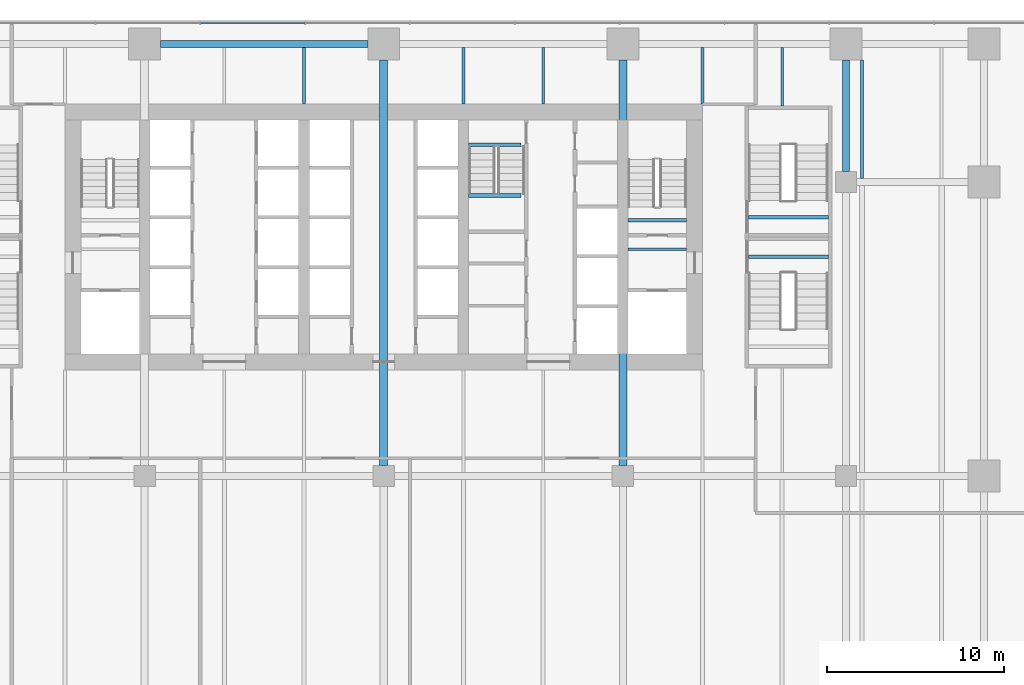
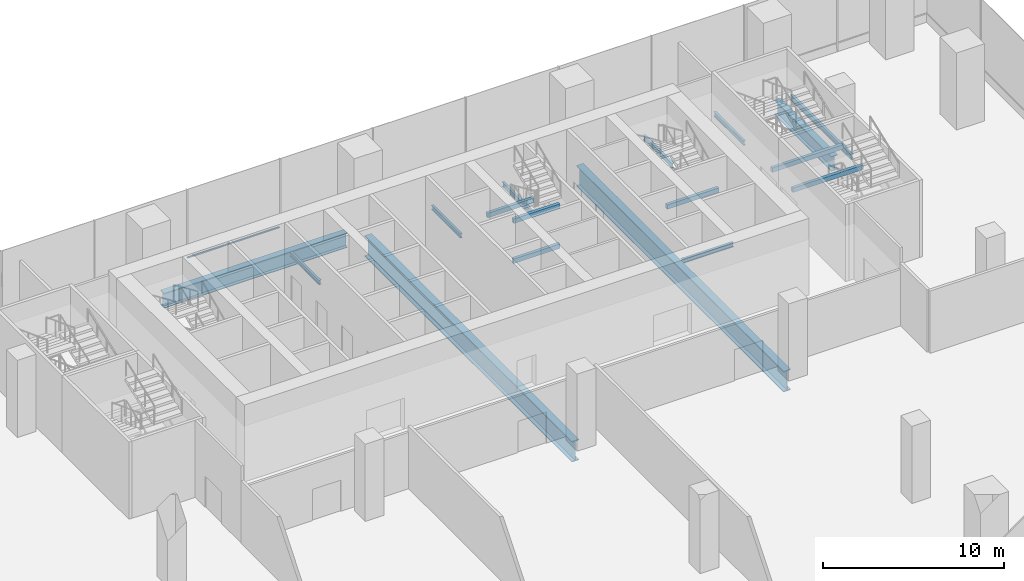
# One storey, part 12 of 26: 17 beams, 1 member, 1 element without a shape of its own.
"""IFC4 building model written with IfcOpenShell, lengths in metres."""

from ifc_helpers import new_model, si_unit, direction, frame, origin, origin_2d, place, context, subcontext, project, spatial, rectangle, i_section, extrude, material, layer, layer_set, material_profile, profile_set, type_object, element, aggregate, save


model = new_model("IFC4")

# Units and contexts
model_context = context("Model", 3, precision=1e-05, world=origin(), true_north=direction((0.0, 1.0)))
body_context = subcontext(model_context, "Body", "Model", "MODEL_VIEW")
ifc_project = project(units=[si_unit("LENGTHUNIT", "METRE"), si_unit("AREAUNIT", "SQUARE_METRE"), si_unit("VOLUMEUNIT", "CUBIC_METRE"), si_unit("PLANEANGLEUNIT", "RADIAN"), si_unit("MASSUNIT", "GRAM", prefix="KILO")], contexts=[model_context])

# Site, building, storey
site_placement = place(None, origin())
site = spatial("IfcSite", under=ifc_project, at=site_placement, CompositionType="ELEMENT")
building_placement = place(site_placement, origin())
building = spatial("IfcBuilding", under=site, at=building_placement, Name="Rattan Terrace Tower", CompositionType="ELEMENT")
storey_placement = place(building_placement, frame((0.0, 0.0, 7.199951171875)))
storey = spatial("IfcBuildingStorey", under=building, at=storey_placement, Name="L01", CompositionType="ELEMENT", Elevation=7.199951171875)

# Beams
ifc_material_1 = material(Name="Concrete C40/50", Category="concrete")
ifc_material_profile_1 = material_profile(ifc_material_1, rectangle(XDim=0.199951171875, YDim=0.300048828125, at=origin_2d()), Name="RC 200x300")
ifc_profile_set_1 = profile_set([ifc_material_profile_1], Name="Concrete C40/50")
beam_type_1 = type_object("IfcBeamType", Name="Core landing beam RC 200x300", PredefinedType="BEAM", material=ifc_profile_set_1)
beam_1_placement = place(storey_placement, frame((13.800048828125, 0.949951171875, 2.35009765625), z_axis=(1.0, 0.0, 0.0), x_axis=(0.0, 1.0, 0.0)))
element("IfcBeam", 1, at=beam_1_placement, inside=storey, type_object=beam_type_1, Name="st-S2-L01 landing 2 edge beam", PredefinedType="BEAM", context=body_context, shape_type="SweptSolid", body=[
    extrude(rectangle(XDim=0.199951171875, YDim=0.300048828125, at=origin_2d()), origin(), (0.0, 0.0, 1.0), 3.300048828125),
])
for number, where, z_axis, x_axis, name in (
    (2, (4.800048828125, 2.340087890625, 1.0), (1.0, 0.0, 0.0), (0.0, 1.0, 0.0), "st-S3-L01 landing 1 edge beam"),
    (3, (4.800048828125, 5.199951171875, 2.35009765625), (1.0, 0.0, 0.0), (0.0, 1.0, 0.0), "st-S3-L01 landing 2 edge beam"),
    (4, (4.800048828125, 2.340087890625, 3.699951171875), (1.0, 0.0, 0.0), (0.0, 1.0, 0.0), "st-S3-L01 landing 3 edge beam"),
):
    element("IfcBeam", number, at=place(storey_placement, frame(where, z_axis=z_axis, x_axis=x_axis)), inside=storey, type_object=beam_type_1, Name=name, PredefinedType="BEAM", context=body_context, shape_type="SweptSolid", body=[
        extrude(rectangle(XDim=0.199951171875, YDim=0.300048828125, at=origin_2d()), origin(), (0.0, 0.0, 1.0), 2.949951171875),
    ])
for number, where, z_axis, x_axis, name in (
    (5, (20.60009765625, -1.125, 2.35009765625), (1.0, 0.0, 0.0), (0.0, 1.0, 0.0), "st-S6-L01 landing 2 edge beam"),
    (6, (20.60009765625, 1.125, 2.35009765625), (1.0, 0.0, 0.0), (0.0, 1.0, 0.0), "st-S7-L01 landing 2 edge beam"),
):
    element("IfcBeam", number, at=place(storey_placement, frame(where, z_axis=z_axis, x_axis=x_axis)), inside=storey, type_object=beam_type_1, Name=name, PredefinedType="BEAM", context=body_context, shape_type="SweptSolid", body=[
        extrude(rectangle(XDim=0.199951171875, YDim=0.300048828125, at=origin_2d()), origin(), (0.0, 0.0, 1.0), 4.5),
    ])
ifc_material_2 = material(Name="Steel S355", Category="steel")
ifc_material_profile_2 = material_profile(ifc_material_2, i_section(OverallWidth=0.14990234375, OverallDepth=0.300048828125, WebThickness=0.007080078125, FlangeThickness=0.0107421875, FilletRadius=0.014892578125, at=origin_2d()), Name="IPE 300")
ifc_profile_set_2 = profile_set([ifc_material_profile_2], Name="Steel S355")
beam_type_2 = type_object("IfcBeamType", Name="Frame floor beam IPE 300", PredefinedType="JOIST", material=ifc_profile_set_2)
for number, where, z_axis, x_axis, name in (
    (7, (13.800048828125, -0.695068359375, -0.349853515625), (1.0, 0.0, 0.0), (0.0, 1.0, 0.0), "bm-L01-002"),
    (8, (22.5, 7.39990234375, -0.349853515625), (0.0, 1.0, 0.0), (-1.0, 0.0, 0.0), "bm-L01-044"),
):
    element("IfcBeam", number, at=place(storey_placement, frame(where, z_axis=z_axis, x_axis=x_axis)), inside=storey, type_object=beam_type_2, Name=name, PredefinedType="JOIST", context=body_context, shape_type="SweptSolid", body=[
        extrude(i_section(OverallWidth=0.14990234375, OverallDepth=0.300048828125, WebThickness=0.007080078125, FlangeThickness=0.0107421875, FilletRadius=0.014892578125, at=origin_2d()), origin(), (0.0, 0.0, 1.0), 3.300048828125),
    ])
for number, where, z_axis, x_axis, name in (
    (9, (-4.5, 7.5, -0.349853515625), (0.0, 1.0, 0.0), (-1.0, 0.0, 0.0), "bm-L01-047"),
    (10, (4.5, 7.5, -0.349853515625), (0.0, 1.0, 0.0), (-1.0, 0.0, 0.0), "bm-L01-048"),
    (11, (9.0, 7.5, -0.349853515625), (0.0, 1.0, 0.0), (-1.0, 0.0, 0.0), "bm-L01-049"),
    (12, (18.0, 7.5, -0.349853515625), (0.0, 1.0, 0.0), (-1.0, 0.0, 0.0), "bm-L01-050"),
):
    element("IfcBeam", number, at=place(storey_placement, frame(where, z_axis=z_axis, x_axis=x_axis)), inside=storey, type_object=beam_type_2, Name=name, PredefinedType="JOIST", context=body_context, shape_type="SweptSolid", body=[
        extrude(i_section(OverallWidth=0.14990234375, OverallDepth=0.300048828125, WebThickness=0.007080078125, FlangeThickness=0.0107421875, FilletRadius=0.014892578125, at=origin_2d()), origin(), (0.0, 0.0, 1.0), 3.199951171875),
    ])
ifc_material_3 = material(Name="Steel S355", Category="steel")
ifc_material_profile_3 = material_profile(ifc_material_3, i_section(OverallWidth=0.169921875, OverallDepth=0.360107421875, WebThickness=0.008056640625, FlangeThickness=0.0126953125, FilletRadius=0.01806640625, at=origin_2d()), Name="IPE 360")
ifc_profile_set_3 = profile_set([ifc_material_profile_3], Name="Steel S355")
beam_type_3 = type_object("IfcBeamType", Name="Frame floor beam IPE 360", PredefinedType="JOIST", material=ifc_profile_set_3)
beam_2_placement = place(storey_placement, frame((27.0, 3.300048828125, -0.3798828125), z_axis=(0.0, 1.0, 0.0), x_axis=(-1.0, 0.0, 0.0)))
element("IfcBeam", 13, at=beam_2_placement, inside=storey, type_object=beam_type_3, Name="bm-L01-041", PredefinedType="JOIST", context=body_context, shape_type="SweptSolid", body=[
    extrude(i_section(OverallWidth=0.169921875, OverallDepth=0.360107421875, WebThickness=0.008056640625, FlangeThickness=0.0126953125, FilletRadius=0.01806640625, at=origin_2d()), origin(), (0.0, 0.0, 1.0), 6.699951171875),
])
ifc_material_4 = material(Name="Steel S460", Category="steel")
ifc_material_profile_4 = material_profile(ifc_material_4, i_section(OverallWidth=0.39990234375, OverallDepth=1.0, WebThickness=0.01806640625, FlangeThickness=0.044921875, at=origin_2d()), Name="PG 1000x400-18-45")
ifc_profile_set_4 = profile_set([ifc_material_profile_4], Name="Steel S460")
beam_type_4 = type_object("IfcBeamType", Name="Frame podium girder PG 1000x400-18-45", PredefinedType="USERDEFINED", material=ifc_profile_set_4)
beam_3_placement = place(storey_placement, frame((26.10009765625, 3.699951171875, -0.699951171875), z_axis=(0.0, 1.0, 0.0), x_axis=(-1.0, 0.0, 0.0)))
element("IfcBeam", 14, at=beam_3_placement, inside=storey, type_object=beam_type_4, Name="gdr-L01-043", ObjectType="PODIUM GIRDER", PredefinedType="USERDEFINED", context=body_context, shape_type="SweptSolid", body=[
    extrude(i_section(OverallWidth=0.39990234375, OverallDepth=1.0, WebThickness=0.01806640625, FlangeThickness=0.044921875, at=origin_2d()), origin(), (0.0, 0.0, 1.0), 6.300048828125),
])
beam_4_placement = place(storey_placement, frame((-12.60009765625, 10.89990234375, -0.699951171875), z_axis=(1.0, 0.0, 0.0), x_axis=(0.0, 1.0, 0.0)))
element("IfcBeam", 15, at=beam_4_placement, inside=storey, type_object=beam_type_4, Name="gdr-L01-048", ObjectType="PODIUM GIRDER", PredefinedType="USERDEFINED", context=body_context, shape_type="SweptSolid", body=[
    extrude(i_section(OverallWidth=0.39990234375, OverallDepth=1.0, WebThickness=0.01806640625, FlangeThickness=0.044921875, at=origin_2d()), origin(), (0.0, 0.0, 1.0), 11.7001953125),
])
ifc_material_5 = material(Name="Steel S460", Category="steel")
ifc_material_profile_5 = material_profile(ifc_material_5, i_section(OverallWidth=0.449951171875, OverallDepth=1.39990234375, WebThickness=0.02197265625, FlangeThickness=0.054931640625, at=origin_2d()), Name="PG 1400x450-22-55")
ifc_profile_set_5 = profile_set([ifc_material_profile_5], Name="Steel S460")
beam_type_5 = type_object("IfcBeamType", Name="Frame podium girder PG 1400x450-22-55", PredefinedType="USERDEFINED", material=ifc_profile_set_5)
for number, where, z_axis, x_axis, name in (
    (16, (0.0, -12.89990234375, -0.89990234375), (0.0, 1.0, 0.0), (-1.0, 0.0, 0.0), "gdr-L01-035"),
    (17, (13.5, -12.89990234375, -0.89990234375), (0.0, 1.0, 0.0), (-1.0, 0.0, 0.0), "gdr-L01-036"),
):
    element("IfcBeam", number, at=place(storey_placement, frame(where, z_axis=z_axis, x_axis=x_axis)), inside=storey, type_object=beam_type_5, Name=name, ObjectType="PODIUM GIRDER", PredefinedType="USERDEFINED", context=body_context, shape_type="SweptSolid", body=[
        extrude(i_section(OverallWidth=0.449951171875, OverallDepth=1.39990234375, WebThickness=0.02197265625, FlangeThickness=0.054931640625, at=origin_2d()), origin(), (0.0, 0.0, 1.0), 22.89990234375),
    ])

# Curtain wall, member
ifc_material_6 = material(Name="Aluminium and glass", Category="aluminium")
ifc_layer = layer(ifc_material_6, 0.1201171875)
ifc_layer_set = layer_set([ifc_layer], Name="Station Storefront Curtain Wall")
curtain_wall_type = type_object("IfcCurtainWallType", Name="Station Storefront Curtain Wall", PredefinedType="NOTDEFINED", material=ifc_layer_set)
curtain_wall_placement = place(storey_placement, origin())
curtain_wall = element("IfcCurtainWall", 18, at=curtain_wall_placement, inside=storey, type_object=curtain_wall_type, Name="Storefront curtain wall L01-2", PredefinedType="NOTDEFINED")
ifc_material_7 = material(Name="Aluminium", Category="aluminium")
ifc_material_profile_6 = material_profile(ifc_material_7, rectangle(XDim=0.10009765625, YDim=0.050048828125, at=origin_2d()), Name="Aluminium 100x50")
ifc_profile_set_6 = profile_set([ifc_material_profile_6], Name="Aluminium")
member_type = type_object("IfcMemberType", Name="Storefront CW Transom 100x50", PredefinedType="USERDEFINED", material=ifc_profile_set_6)
member_placement = place(storey_placement, frame((-4.465087890625, 12.080078125, 0.60009765625), z_axis=(-1.0, 0.0, 0.0), x_axis=(0.0, -1.0, 0.0)))
member = element("IfcMember", 19, at=member_placement, type_object=member_type, Name="Transom cwl-L01-002.8", ObjectType="TRANSOM", PredefinedType="USERDEFINED", context=body_context, shape_type="SweptSolid", body=[
    extrude(rectangle(XDim=0.10009765625, YDim=0.050048828125, at=origin_2d()), origin(), (0.0, 0.0, 1.0), 5.869873046875),
])
aggregate(curtain_wall, [member])

save(model, "model.ifc")
